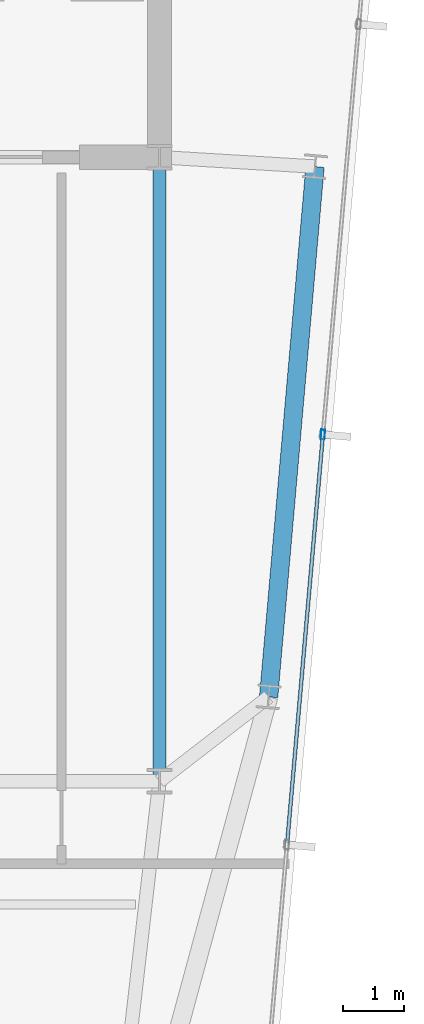
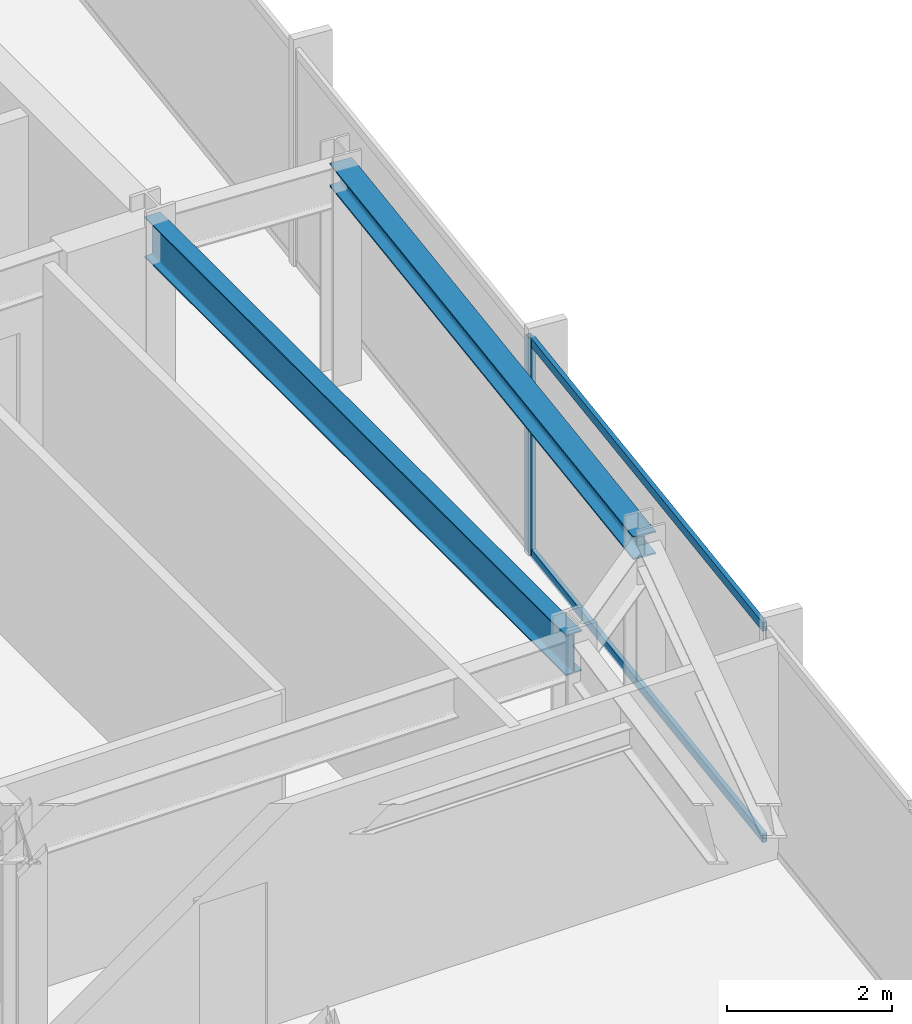
# One storey, part 17 of 33: 3 members, 2 beams, 1 element without a shape of its own.
"""IFC4 building model written with IfcOpenShell, lengths in metres."""

from ifc_helpers import new_model, si_unit, direction, frame, origin, origin_2d, place, context, subcontext, project, spatial, hollow_rectangle, i_section, extrude, material, material_profile, profile_set, type_object, element, aggregate, save


model = new_model("IFC4")

# Units and contexts
model_context = context("Model", 3, precision=1e-05, world=origin(), true_north=direction((0.0, 1.0)))
body_context = subcontext(model_context, "Body", "Model", "MODEL_VIEW")
ifc_project = project(units=[si_unit("LENGTHUNIT", "METRE"), si_unit("AREAUNIT", "SQUARE_METRE"), si_unit("VOLUMEUNIT", "CUBIC_METRE"), si_unit("PLANEANGLEUNIT", "RADIAN"), si_unit("MASSUNIT", "GRAM", prefix="KILO")], contexts=[model_context])

# Site, building, storey
site_placement = place(None, origin())
site = spatial("IfcSite", under=ifc_project, at=site_placement, CompositionType="ELEMENT")
building_placement = place(site_placement, origin())
building = spatial("IfcBuilding", under=site, at=building_placement, Name="Yelkora Congress Tower", CompositionType="ELEMENT")
storey_placement = place(building_placement, frame((0.0, 0.0, 286.300048828125)))
storey = spatial("IfcBuildingStorey", under=building, at=storey_placement, Name="L80", CompositionType="ELEMENT", Elevation=286.300048828125)

# Beams
ifc_material_1 = material(Name="Steel S355J2", Category="steel")
ifc_material_profile_1 = material_profile(ifc_material_1, i_section(OverallWidth=0.219970703125, OverallDepth=0.60009765625, WebThickness=0.011962890625, FlangeThickness=0.01904296875, FilletRadius=0.02392578125, at=origin_2d()), Name="IPE 600")
ifc_profile_set_1 = profile_set([ifc_material_profile_1], Name="Steel S355J2")
beam_type_1 = type_object("IfcBeamType", Name="BM-GIRD-IPE600", PredefinedType="BEAM", material=ifc_profile_set_1)
beam_1_placement = place(storey_placement, frame((53.760009765625, 25.199951171875, 2.8798828125), z_axis=(0.0, 1.0, 0.0), x_axis=(-1.0, 0.0, 0.0)))
element("IfcBeam", 1, at=beam_1_placement, inside=storey, type_object=beam_type_1, Name="L80 Core Tie Girder MC-D5", PredefinedType="BEAM", context=body_context, shape_type="SweptSolid", body=[
    extrude(i_section(OverallWidth=0.219970703125, OverallDepth=0.60009765625, WebThickness=0.011962890625, FlangeThickness=0.01904296875, FilletRadius=0.02392578125, at=origin_2d()), origin(), (0.0, 0.0, 1.0), 10.199951171875),
])
ifc_material_profile_2 = material_profile(ifc_material_1, i_section(OverallWidth=0.300048828125, OverallDepth=0.340087890625, WebThickness=0.011962890625, FlangeThickness=0.021484375, FilletRadius=0.027099609375, at=origin_2d()), Name="HEB 340")
ifc_profile_set_2 = profile_set([ifc_material_profile_2], Name="Steel S355J2")
beam_type_2 = type_object("IfcBeamType", Name="BM-SPAN-HEB340", PredefinedType="SPANDREL", material=ifc_profile_set_2)
beam_2_placement = place(storey_placement, frame((55.543701171875, 26.57861328125, 3.010009765625), z_axis=(0.08715998813, 0.99619432666, 0.0), x_axis=(-0.99619432666, 0.08715998813, 0.0)))
element("IfcBeam", 2, at=beam_2_placement, inside=storey, type_object=beam_type_2, Name="L80 Perimeter Beam 8", PredefinedType="SPANDREL", context=body_context, shape_type="SweptSolid", body=[
    extrude(i_section(OverallWidth=0.300048828125, OverallDepth=0.340087890625, WebThickness=0.011962890625, FlangeThickness=0.021484375, FilletRadius=0.027099609375, at=origin_2d()), origin(), (0.0, 0.0, 1.0), 8.7001953125),
])

# Curtain wall, members
ifc_material_2 = material(Name="Anodised aluminium and insulated glass", Category="aluminium")
curtain_wall_type = type_object("IfcCurtainWallType", Name="CW-SYS-B5", PredefinedType="NOTDEFINED", material=ifc_material_2)
curtain_wall_placement = place(storey_placement, origin())
curtain_wall = element("IfcCurtainWall", 3, at=curtain_wall_placement, inside=storey, type_object=curtain_wall_type, Name="L80 Unitised Curtain Wall 15", PredefinedType="NOTDEFINED")
ifc_material_3 = material(Name="Anodised aluminium 6063-T6", Category="aluminium")
ifc_material_profile_3 = material_profile(ifc_material_3, hollow_rectangle(XDim=0.06494140625, YDim=0.159912109375, WallThickness=0.00390625, at=origin_2d()), Name="ALU 65x160x4")
ifc_profile_set_3 = profile_set([ifc_material_profile_3], Name="Anodised aluminium 6063-T6")
member_type_1 = type_object("IfcMemberType", Name="MEM-ML-B5", PredefinedType="MULLION", material=ifc_profile_set_3)
member_1_placement = place(storey_placement, frame((56.430908203125, 30.867431640625, 0.0), z_axis=(0.0, 0.0, 1.0), x_axis=(0.996194463398, -0.087158425264, 0.0)))
member_1 = element("IfcMember", 4, at=member_1_placement, type_object=member_type_1, Name="CW-B5 mullion 3", PredefinedType="MULLION", context=body_context, shape_type="SweptSolid", body=[
    extrude(hollow_rectangle(XDim=0.06494140625, YDim=0.159912109375, WallThickness=0.00390625, at=origin_2d()), origin(), (0.0, 0.0, 1.0), 3.179931640625),
])
ifc_material_profile_4 = material_profile(ifc_material_3, hollow_rectangle(XDim=0.06005859375, YDim=0.1298828125, WallThickness=0.00390625, at=origin_2d()), Name="ALU 60x130x4")
ifc_profile_set_4 = profile_set([ifc_material_profile_4], Name="Anodised aluminium 6063-T6")
member_type_2 = type_object("IfcMemberType", Name="MEM-TR-B5", PredefinedType="USERDEFINED", material=ifc_profile_set_4)
member_2_placement = place(storey_placement, frame((56.42822265625, 30.835205078125, 0.030029296875), z_axis=(-0.087179673403, -0.996192604141, 0.0), x_axis=(0.996192604141, -0.087179673403, 0.0)))
member_2 = element("IfcMember", 5, at=member_2_placement, type_object=member_type_2, Name="CW-B5 transom 3.1", ObjectType="TRANSOM", PredefinedType="USERDEFINED", context=body_context, shape_type="SweptSolid", body=[
    extrude(hollow_rectangle(XDim=0.06005859375, YDim=0.1298828125, WallThickness=0.00390625, at=origin_2d()), origin(), (0.0, 0.0, 1.0), 6.6650390625),
])
member_3_placement = place(storey_placement, frame((56.42822265625, 30.835205078125, 3.14990234375), z_axis=(-0.087179673403, -0.996192604141, 0.0), x_axis=(0.996192604141, -0.087179673403, 0.0)))
member_3 = element("IfcMember", 6, at=member_3_placement, type_object=member_type_2, Name="CW-B5 transom 3.2", ObjectType="TRANSOM", PredefinedType="USERDEFINED", context=body_context, shape_type="SweptSolid", body=[
    extrude(hollow_rectangle(XDim=0.06005859375, YDim=0.1298828125, WallThickness=0.00390625, at=origin_2d()), origin(), (0.0, 0.0, 1.0), 6.6650390625),
])
aggregate(curtain_wall, [member_1, member_2, member_3])

save(model, "model.ifc")
